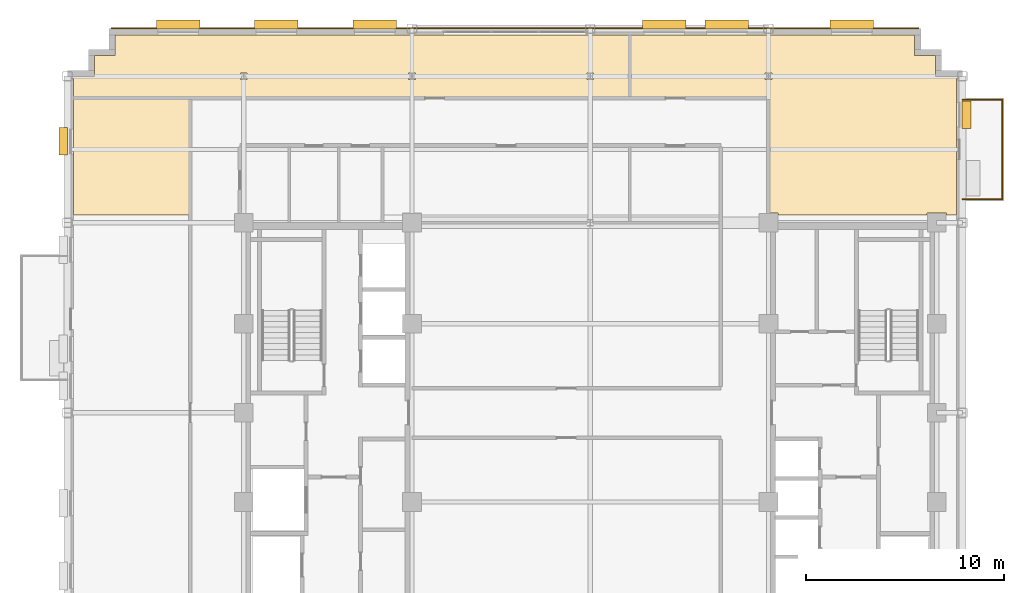
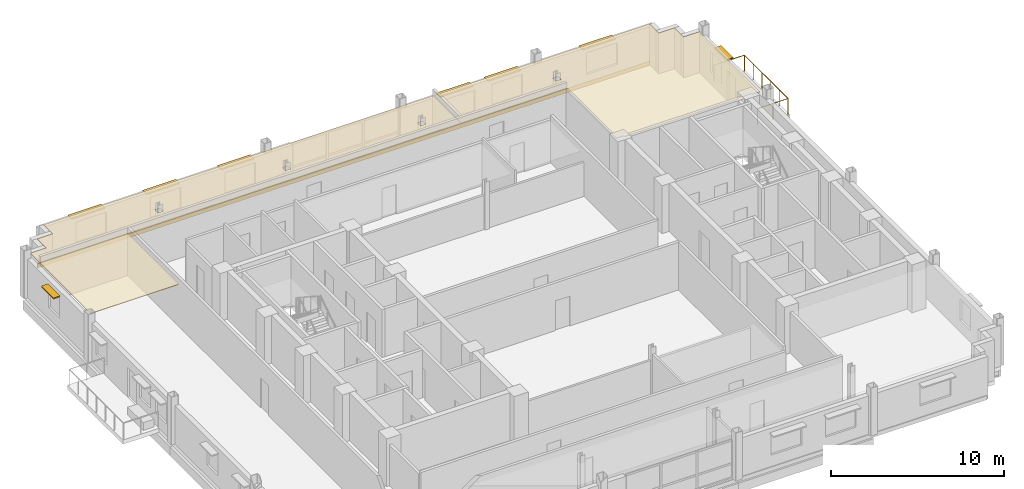
# One storey, part 15 of 15: 8 shading devices, 4 coverings, 1 railing.
"""IFC4 building model written with IfcOpenShell, lengths in metres."""

import ifcopenshell
import ifcopenshell.guid

model = None  # the IFC model being written
_history = None  # IfcOwnerHistory: only IFC2X3 demands one
_inside = {}  # id of a spatial element -> (the spatial element, [elements in it])
_under = {}  # id of a project, library or spatial element -> (it, [spatial elements below it])
_declared = {}  # id of a project -> (the project, [libraries it declares])
_typed = {}  # id of a type object -> (the type object, [elements of that type])
_made_of = {}  # id of a material, layer set ... -> (it, [elements and type objects made of it])


def new_model(schema):
    """Start an empty IFC model of exactly this schema.

    Asked for "IFC4X3", IfcOpenShell would pick the latest addendum, in which some entities
    have other attributes; the version numbers below select the first issue.
    IFC2X3 requires an IfcOwnerHistory on every rooted entity: one is made here for all.
    """
    global model, _history
    if schema == "IFC4X3":
        model = ifcopenshell.file(schema_version=(4, 3, 0, 0))
    else:
        model = ifcopenshell.file(schema=schema)
    _inside.clear()
    _under.clear()
    _declared.clear()
    _typed.clear()
    _made_of.clear()
    _history = None
    if model.schema == "IFC2X3":
        org = make("IfcOrganization", Name="unknown")
        user = make(
            "IfcPersonAndOrganization",
            ThePerson=make("IfcPerson", FamilyName="unknown"),
            TheOrganization=org,
        )
        app = make(
            "IfcApplication",
            ApplicationDeveloper=org,
            Version="unknown",
            ApplicationFullName="unknown",
            ApplicationIdentifier="unknown",
        )
        _history = make(
            "IfcOwnerHistory",
            OwningUser=user,
            OwningApplication=app,
            ChangeAction="ADDED",
            CreationDate=0,
        )
    return model


def make(cls, **values):
    """One entity of the class cls with the attributes given. An attribute that is None is left unset."""
    return model.create_entity(
        cls, **{name: value for name, value in values.items() if value is not None}
    )


def rooted(cls, **values):
    """An entity with a GlobalId (a new one), such as an element, a storey or a relation."""
    return make(cls, GlobalId=ifcopenshell.guid.new(), OwnerHistory=_history, **values)


def si_unit(unit_type, name, prefix=None):
    """IfcSIUnit, for example si_unit("LENGTHUNIT", "METRE", prefix="MILLI")."""
    return make("IfcSIUnit", UnitType=unit_type, Prefix=prefix, Name=name)


def assignment(units):
    """IfcUnitAssignment: the units of a project."""
    return None if units is None else make("IfcUnitAssignment", Units=units)


def point(xyz):
    """IfcCartesianPoint."""
    return None if xyz is None else make("IfcCartesianPoint", Coordinates=xyz)


def direction(xyz):
    """IfcDirection."""
    return None if xyz is None else make("IfcDirection", DirectionRatios=xyz)


def frame(location, z_axis=None, x_axis=None):
    """IfcAxis2Placement3D, a coordinate frame: its origin and axes. An axis left out is left unset."""
    return make(
        "IfcAxis2Placement3D",
        Location=point(location),
        Axis=direction(z_axis),
        RefDirection=direction(x_axis),
    )


def frame_2d(location, x_axis=None):
    """IfcAxis2Placement2D, a coordinate frame in the plane: its origin and x axis."""
    return make(
        "IfcAxis2Placement2D", Location=point(location), RefDirection=direction(x_axis)
    )


def origin():
    """The frame at (0, 0, 0) with its axes left unset."""
    return frame((0.0, 0.0, 0.0))


def origin_2d():
    """The frame at (0, 0) in the plane with its x axis left unset."""
    return frame_2d((0.0, 0.0))


def place(relative_to, where):
    """IfcLocalPlacement: puts the frame where relative to a parent placement (None: the world)."""
    return make(
        "IfcLocalPlacement", PlacementRelTo=relative_to, RelativePlacement=where
    )


def context(
    kind, dimensions, precision=None, world=None, true_north=None, identifier=None
):
    """IfcGeometricRepresentationContext, for example the 3D "Model" context."""
    return make(
        "IfcGeometricRepresentationContext",
        ContextIdentifier=identifier,
        ContextType=kind,
        CoordinateSpaceDimension=dimensions,
        Precision=precision,
        WorldCoordinateSystem=world,
        TrueNorth=true_north,
    )


def subcontext(parent, identifier, kind, view, scale=None):
    """IfcGeometricRepresentationSubContext, for example "Body" below "Model"."""
    return make(
        "IfcGeometricRepresentationSubContext",
        ContextIdentifier=identifier,
        ContextType=kind,
        ParentContext=parent,
        TargetScale=scale,
        TargetView=view,
    )


def project(units=None, contexts=None):
    """IfcProject with its units and contexts."""
    return rooted(
        "IfcProject",
        Name="project",
        RepresentationContexts=contexts,
        UnitsInContext=assignment(units),
    )


def spatial(cls, under=None, at=None, **own):
    """A site, building, storey or space (cls), placed at a placement, below another one or the project."""
    s = rooted(cls, ObjectPlacement=at, **own)
    if under is not None:
        _under.setdefault(under.id(), (under, []))[1].append(s)
    return s


def polyline(points):
    """IfcPolyline through the points."""
    return make("IfcPolyline", Points=[point(p) for p in points])


def profile(cls, at=None, kind="AREA", **sizes):
    """A parametric profile (cls). Its sizes go by their IFC names, for example OverallWidth=200.0."""
    return make(cls, ProfileType=kind, Position=at, **sizes)


def rectangle(**sizes):
    """IfcRectangleProfileDef."""
    return profile("IfcRectangleProfileDef", **sizes)


def circle(**sizes):
    """IfcCircleProfileDef."""
    return profile("IfcCircleProfileDef", **sizes)


def outline(outer, holes=None, kind="AREA"):
    """IfcArbitraryClosedProfileDef: a profile drawn as a closed curve; with holes, ...WithVoids."""
    if holes is None:
        return make("IfcArbitraryClosedProfileDef", ProfileType=kind, OuterCurve=outer)
    return make(
        "IfcArbitraryProfileDefWithVoids",
        ProfileType=kind,
        OuterCurve=outer,
        InnerCurves=holes,
    )


def extrude(swept, where, along, depth):
    """IfcExtrudedAreaSolid: the profile swept, set in the frame where, extruded along a direction by depth."""
    return make(
        "IfcExtrudedAreaSolid",
        SweptArea=swept,
        Position=where,
        ExtrudedDirection=direction(along),
        Depth=depth,
    )


def shape(context_of_items, identifier, shape_type, items):
    """IfcShapeRepresentation: the items that make up one representation, for example the "Body"."""
    return make(
        "IfcShapeRepresentation",
        ContextOfItems=context_of_items,
        RepresentationIdentifier=identifier,
        RepresentationType=shape_type,
        Items=items,
    )


def source(mapping_origin, context_of_items, identifier, shape_type, items):
    """IfcRepresentationMap: a shape defined once, which mapped items show again and again."""
    return make(
        "IfcRepresentationMap",
        MappingOrigin=mapping_origin,
        MappedRepresentation=shape(context_of_items, identifier, shape_type, items),
    )


def transform(
    local_origin,
    x_axis=None,
    y_axis=None,
    z_axis=None,
    scale=None,
    scale2=None,
    scale3=None,
    uniform=True,
):
    """IfcCartesianTransformationOperator3D, or its non-uniform kind. x_axis, y_axis, z_axis: its Axis1, 2, 3."""
    if uniform:
        return make(
            "IfcCartesianTransformationOperator3D",
            Axis1=direction(x_axis),
            Axis2=direction(y_axis),
            LocalOrigin=point(local_origin),
            Scale=scale,
            Axis3=direction(z_axis),
        )
    return make(
        "IfcCartesianTransformationOperator3DnonUniform",
        Axis1=direction(x_axis),
        Axis2=direction(y_axis),
        LocalOrigin=point(local_origin),
        Scale=scale,
        Axis3=direction(z_axis),
        Scale2=scale2,
        Scale3=scale3,
    )


def mapped(mapping_source, mapping_target):
    """IfcMappedItem: shows the shape of a source again, moved by a transform."""
    return make(
        "IfcMappedItem", MappingSource=mapping_source, MappingTarget=mapping_target
    )


def material(Name=None, Category=None):
    """IfcMaterial."""
    return make("IfcMaterial", Name=Name, Category=Category)


def layer(
    of_material, thickness, ventilated=None, Name=None, Category=None, Priority=None
):
    """IfcMaterialLayer: one layer of a wall or slab, of a material (None: an air gap)."""
    return make(
        "IfcMaterialLayer",
        Material=of_material,
        LayerThickness=thickness,
        IsVentilated=ventilated,
        Name=Name,
        Category=Category,
        Priority=Priority,
    )


def layer_set(layers, Name=None):
    """IfcMaterialLayerSet."""
    return make("IfcMaterialLayerSet", MaterialLayers=layers, LayerSetName=Name)


def made_of(thing, what):
    """Note that an element or type object is made of a material, layer set ...; save() writes the relation."""
    if what is not None:
        _made_of.setdefault(what.id(), (what, []))[1].append(thing)
    return thing


def type_object(cls, material=None, **own):
    """A type object (cls), such as IfcWallType, which elements share."""
    return made_of(rooted(cls, **own), material)


def type_shapes(of_type, sources):
    """Give a type object the sources (RepresentationMaps) that its elements show as mapped items."""
    of_type.RepresentationMaps = sources


def element(
    cls,
    number,
    at=None,
    inside=None,
    cuts=None,
    type_object=None,
    material=None,
    context=None,
    identifier="Body",
    shape_type=None,
    held_by="IfcProductDefinitionShape",
    body=None,
    shapes=None,
    **own,
):
    """One element of the class cls, such as IfcWall. Its Tag is "e" and its number.

    at: its placement. inside: the storey or other place that contains it. cuts: it is an
    opening in that element (IfcRelVoidsElement). A single representation is given by context,
    identifier, shape_type and body (its items); several are given by shapes. held_by: the class
    of the entity that holds the representations. save() writes the other relations.
    """
    e = rooted(cls, Tag="e%d" % number, ObjectPlacement=at, **own)
    if body is not None:
        shapes = [shape(context, identifier, shape_type, body)]
    if shapes is not None:
        e.Representation = make(held_by, Representations=shapes)
    if inside is not None:
        _inside.setdefault(inside.id(), (inside, []))[1].append(e)
    if cuts is not None:
        rooted(
            "IfcRelVoidsElement", RelatingBuildingElement=cuts, RelatedOpeningElement=e
        )
    if type_object is not None:
        _typed.setdefault(type_object.id(), (type_object, []))[1].append(e)
    return made_of(e, material)


def aggregate(whole, parts):
    """IfcRelAggregates: a whole, such as a stair, and the parts it consists of."""
    return rooted("IfcRelAggregates", RelatingObject=whole, RelatedObjects=parts)


def save(model, path):
    """Write the relations noted so far, then the file.

    IfcRelAggregates (storeys below a building ...), IfcRelContainedInSpatialStructure (elements
    in a storey), IfcRelDefinesByType, IfcRelAssociatesMaterial and IfcRelDeclares: one each for
    every whole, place, type object, material and project.
    """
    for whole, parts in _under.values():
        aggregate(whole, parts)
    for where, things in _inside.values():
        rooted(
            "IfcRelContainedInSpatialStructure",
            RelatedElements=things,
            RelatingStructure=where,
        )
    for kind, things in _typed.values():
        rooted("IfcRelDefinesByType", RelatedObjects=things, RelatingType=kind)
    for what, things in _made_of.values():
        rooted("IfcRelAssociatesMaterial", RelatedObjects=things, RelatingMaterial=what)
    for by, libraries in _declared.values():
        rooted("IfcRelDeclares", RelatingContext=by, RelatedDefinitions=libraries)
    model.write(path)


model = new_model("IFC4")

# Units and contexts
model_context = context("Model", 3, precision=1e-05, world=origin(), true_north=direction((0.0, 1.0)))
body_context = subcontext(model_context, "Body", "Model", "MODEL_VIEW")
ifc_project = project(units=[si_unit("LENGTHUNIT", "METRE"), si_unit("AREAUNIT", "SQUARE_METRE"), si_unit("VOLUMEUNIT", "CUBIC_METRE"), si_unit("PLANEANGLEUNIT", "RADIAN"), si_unit("MASSUNIT", "GRAM", prefix="KILO")], contexts=[model_context])

# Site, building, storey
site_placement = place(None, origin())
site = spatial("IfcSite", under=ifc_project, at=site_placement, CompositionType="ELEMENT")
building_placement = place(site_placement, origin())
building = spatial("IfcBuilding", under=site, at=building_placement, Name="Nuvemarco Arch Tower", CompositionType="ELEMENT")
storey_placement = place(building_placement, frame((0.0, 0.0, 223.75)))
storey = spatial("IfcBuildingStorey", under=building, at=storey_placement, Name="L59", CompositionType="ELEMENT", Elevation=223.75)

# Coverings
ifc_material_1 = material(Name="Mineral acoustic ceiling tile")
ifc_layer_1 = layer(ifc_material_1, 0.0400390625, Name="COV-ACOUSTIC-CLG")
ifc_layer_set_1 = layer_set([ifc_layer_1], Name="Mineral acoustic ceiling tile")
covering_type_1 = type_object("IfcCoveringType", Name="COV-ACOUSTIC-CLG", PredefinedType="CEILING", material=ifc_layer_set_1)
covering_1_placement = place(storey_placement, frame((0.0, 0.0, 2.85009765625)))
element("IfcCovering", 1, at=covering_1_placement, inside=storey, type_object=covering_type_1, Name="L59 suspended acoustic ceiling 1", PredefinedType="CEILING", context=body_context, shape_type="SweptSolid", body=[
    extrude(outline(polyline([(-20.199951171875, 10.0), (-26.090087890625, 10.0), (-26.090087890625, 15.89990234375), (-20.199951171875, 15.89990234375), (-20.199951171875, 13.5), (-20.199951171875, 10.0)])), origin(), (0.0, 0.0, 1.0), 0.039794921875),
])
covering_2_placement = place(storey_placement, frame((0.0, 0.0, 2.85009765625)))
element("IfcCovering", 2, at=covering_2_placement, inside=storey, type_object=covering_type_1, Name="L59 suspended acoustic ceiling 3", PredefinedType="CEILING", context=body_context, shape_type="SweptSolid", body=[
    extrude(outline(polyline([(18.489990234375, 16.989990234375), (18.489990234375, 10.0), (17.989990234375, 10.0), (17.989990234375, 10.090087890625), (17.010009765625, 10.090087890625), (17.010009765625, 10.0), (9.489990234375, 10.0), (9.489990234375, 10.090087890625), (9.0, 10.090087890625), (9.0, 13.5), (9.0, 15.89990234375), (6.60009765625, 15.89990234375), (2.0, 15.89990234375), (2.0, 19.090087890625), (16.389892578125, 19.090087890625), (16.389892578125, 18.0400390625), (17.43994140625, 18.0400390625), (17.43994140625, 16.989990234375), (18.489990234375, 16.989990234375)]), holes=[polyline([(9.169921875, 17.169921875), (8.830078125, 17.169921875), (8.830078125, 16.830078125), (9.169921875, 16.830078125), (9.169921875, 17.169921875)])]), origin(), (0.0, 0.0, 1.0), 0.039794921875),
])
covering_3_placement = place(storey_placement, frame((0.0, 0.0, 2.85009765625)))
element("IfcCovering", 3, at=covering_3_placement, inside=storey, type_object=covering_type_1, Name="L59 suspended acoustic ceiling 4", PredefinedType="CEILING", context=body_context, shape_type="SweptSolid", body=[
    extrude(outline(polyline([(-25.0400390625, 16.989990234375), (-25.0400390625, 18.0400390625), (-23.989990234375, 18.0400390625), (-23.989990234375, 19.090087890625), (2.0, 19.090087890625), (2.0, 15.89990234375), (-17.699951171875, 15.89990234375), (-20.199951171875, 15.89990234375), (-26.090087890625, 15.89990234375), (-26.090087890625, 16.989990234375), (-25.0400390625, 16.989990234375)]), holes=[polyline([(-17.330078125, 17.169921875), (-17.669921875, 17.169921875), (-17.669921875, 16.830078125), (-17.330078125, 16.830078125), (-17.330078125, 17.169921875)]), polyline([(-8.830078125, 17.169921875), (-9.169921875, 17.169921875), (-9.169921875, 16.830078125), (-8.830078125, 16.830078125), (-8.830078125, 17.169921875)]), polyline([(0.169921875, 16.830078125), (0.169921875, 17.169921875), (-0.169921875, 17.169921875), (-0.169921875, 16.830078125), (0.169921875, 16.830078125)])]), origin(), (0.0, 0.0, 1.0), 0.039794921875),
])

# Railing
ifc_material_2 = material(Name="Dark anodised balustrade steel S355", Category="steel")
railing_type = type_object("IfcRailingType", Name="RL-TERR-GUARD", PredefinedType="BALUSTRADE", material=ifc_material_2)
railing_placement = place(storey_placement, frame((18.800048828125, 10.780029296875, 0.0)))
element("IfcRailing", 4, at=railing_placement, inside=storey, type_object=railing_type, Name="L59 tree balcony perimeter balustrade guard", PredefinedType="BALUSTRADE", context=body_context, shape_type="SweptSolid", body=[
    extrude(circle(Radius=0.02392578125, at=origin_2d()), frame((0.0, 0.0, 1.1259765625), z_axis=(1.0, 0.0, 0.0), x_axis=(0.0, 1.0, 0.0)), (0.0, 0.0, 1.0), 2.02001953125),
    extrude(circle(Radius=0.02392578125, at=origin_2d()), frame((2.02001953125, 0.0, 1.1259765625), z_axis=(0.0, 1.0, 0.0), x_axis=(-1.0, 0.0, 0.0)), (0.0, 0.0, 1.0), 5.0400390625),
    extrude(circle(Radius=0.02392578125, at=origin_2d()), frame((2.02001953125, 5.0400390625, 1.1259765625), z_axis=(-1.0, 0.0, 0.0), x_axis=(0.0, -1.0, 0.0)), (0.0, 0.0, 1.0), 2.02001953125),
    extrude(circle(Radius=0.02099609375, at=origin_2d()), origin(), (0.0, 0.0, 1.0), 1.101806640625),
    extrude(circle(Radius=0.02099609375, at=origin_2d()), frame((1.010009765625, 0.0, 0.0)), (0.0, 0.0, 1.0), 1.101806640625),
    extrude(circle(Radius=0.02099609375, at=origin_2d()), frame((2.02001953125, 0.0, 0.0)), (0.0, 0.0, 1.0), 1.101806640625),
    extrude(circle(Radius=0.02099609375, at=origin_2d()), frame((2.02001953125, 1.008056640625, 0.0)), (0.0, 0.0, 1.0), 1.101806640625),
    extrude(circle(Radius=0.02099609375, at=origin_2d()), frame((2.02001953125, 2.01611328125, 0.0)), (0.0, 0.0, 1.0), 1.101806640625),
    extrude(circle(Radius=0.02099609375, at=origin_2d()), frame((2.02001953125, 3.02392578125, 0.0)), (0.0, 0.0, 1.0), 1.101806640625),
    extrude(circle(Radius=0.02099609375, at=origin_2d()), frame((2.02001953125, 4.031982421875, 0.0)), (0.0, 0.0, 1.0), 1.101806640625),
    extrude(circle(Radius=0.02099609375, at=origin_2d()), frame((2.02001953125, 5.0400390625, 0.0)), (0.0, 0.0, 1.0), 1.101806640625),
    extrude(circle(Radius=0.02099609375, at=origin_2d()), frame((1.010009765625, 5.0400390625, 0.0)), (0.0, 0.0, 1.0), 1.101806640625),
    extrude(circle(Radius=0.02099609375, at=origin_2d()), frame((0.0, 5.0400390625, 0.0)), (0.0, 0.0, 1.0), 1.101806640625),
])

# Shading devices
ifc_material_3 = material(Name="Anodised aluminium 6063-T6", Category="aluminium")
shading_device_type_1 = type_object("IfcShadingDeviceType", Name="SHD-BRISE-SOLEIL", PredefinedType="USERDEFINED", material=ifc_material_3)
shared_shape_1 = source(origin(), body_context, "Body", "SweptSolid", [
    extrude(rectangle(XDim=2.199951171875, YDim=0.449951171875, at=origin_2d()), origin(), (0.0, 0.0, 1.0), 0.080078125),
])
type_shapes(shading_device_type_1, [shared_shape_1])
for number, where, z_axis, x_axis, name in (
    (5, (-20.816650390625, 19.614990234375, 2.324951171875), (0.0, 0.0, 1.0), (1.0, 0.0, 0.0), "L59 horizontal brise-soleil sunshade"),
    (6, (-15.85009765625, 19.614990234375, 2.324951171875), (0.0, 0.0, 1.0), (1.0, 0.0, 0.0), "L59 horizontal brise-soleil sunshade"),
    (7, (-10.88330078125, 19.614990234375, 2.324951171875), (0.0, 0.0, 1.0), (1.0, 0.0, 0.0), "L59 horizontal brise-soleil sunshade"),
    (8, (3.7333984375, 19.614990234375, 2.324951171875), (0.0, 0.0, 1.0), (1.0, 0.0, 0.0), "L59 horizontal brise-soleil sunshade"),
    (9, (6.89990234375, 19.614990234375, 2.324951171875), (0.0, 0.0, 1.0), (1.0, 0.0, 0.0), "L59 horizontal brise-soleil sunshade"),
    (10, (13.216796875, 19.614990234375, 2.324951171875), (0.0, 0.0, 1.0), (1.0, 0.0, 0.0), "L59 horizontal brise-soleil sunshade"),
):
    element("IfcShadingDevice", number, at=place(storey_placement, frame(where, z_axis=z_axis, x_axis=x_axis)), inside=storey, type_object=shading_device_type_1, Name=name, ObjectType="SUNSHADE", PredefinedType="USERDEFINED", context=body_context, shape_type="MappedRepresentation", body=[
        mapped(shared_shape_1, transform((0.0, 0.0, 0.0), scale=1.0)),
    ])
shading_device_type_2 = type_object("IfcShadingDeviceType", Name="SHD-BRISE-NARROW", PredefinedType="USERDEFINED", material=ifc_material_3)
shared_shape_2 = source(origin(), body_context, "Body", "SweptSolid", [
    extrude(rectangle(XDim=1.39990234375, YDim=0.449951171875, at=origin_2d()), origin(), (0.0, 0.0, 1.0), 0.080078125),
])
type_shapes(shading_device_type_2, [shared_shape_2])
for number, where, z_axis, x_axis, name in (
    (11, (19.014892578125, 15.05908203125, 2.324951171875), (0.0, 0.0, 1.0), (0.0, 1.0, 0.0), "L59 horizontal brise-soleil sunshade"),
    (12, (-26.614990234375, 13.708984375, 2.324951171875), (0.0, 0.0, 1.0), (0.0, 1.0, 0.0), "L59 horizontal brise-soleil sunshade"),
):
    element("IfcShadingDevice", number, at=place(storey_placement, frame(where, z_axis=z_axis, x_axis=x_axis)), inside=storey, type_object=shading_device_type_2, Name=name, ObjectType="SUNSHADE", PredefinedType="USERDEFINED", context=body_context, shape_type="MappedRepresentation", body=[
        mapped(shared_shape_2, transform((0.0, 0.0, 0.0), scale=1.0)),
    ])

# Covering
ifc_material_4 = material(Name="Precast concrete C45/55", Category="concrete")
ifc_layer_2 = layer(ifc_material_4, 0.06005859375, Name="COV-SPANDREL-CLAD")
ifc_layer_set_2 = layer_set([ifc_layer_2], Name="Precast concrete C45/55")
covering_type_2 = type_object("IfcCoveringType", Name="COV-SPANDREL-CLAD", PredefinedType="CLADDING", material=ifc_layer_set_2)
shared_shape_3 = source(origin(), body_context, "Body", "SweptSolid", [
    extrude(rectangle(XDim=40.800048828125, YDim=0.06005859375, at=origin_2d()), origin(), (0.0, 0.0, 1.0), 0.280029296875),
])
type_shapes(covering_type_2, [shared_shape_3])
covering_4_placement = place(storey_placement, frame((-3.800048828125, 19.428955078125, -0.27978515625), z_axis=(0.0, 0.0, 1.0), x_axis=(1.0, 0.0, 0.0)))
element("IfcCovering", 13, at=covering_4_placement, inside=storey, type_object=covering_type_2, Name="L59 precast spandrel edge cladding north", PredefinedType="CLADDING", context=body_context, shape_type="MappedRepresentation", body=[
    mapped(shared_shape_3, transform((0.0, 0.0, 0.0), scale=1.0)),
])

save(model, "model.ifc")
